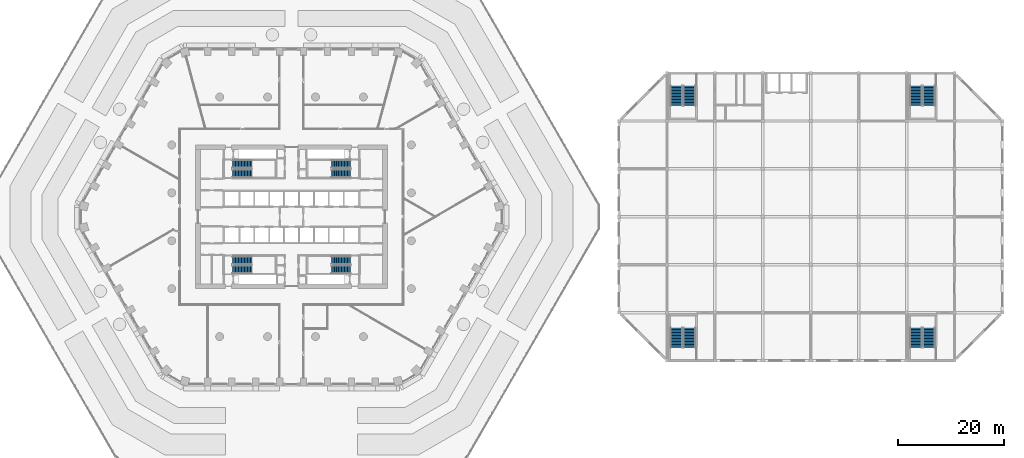
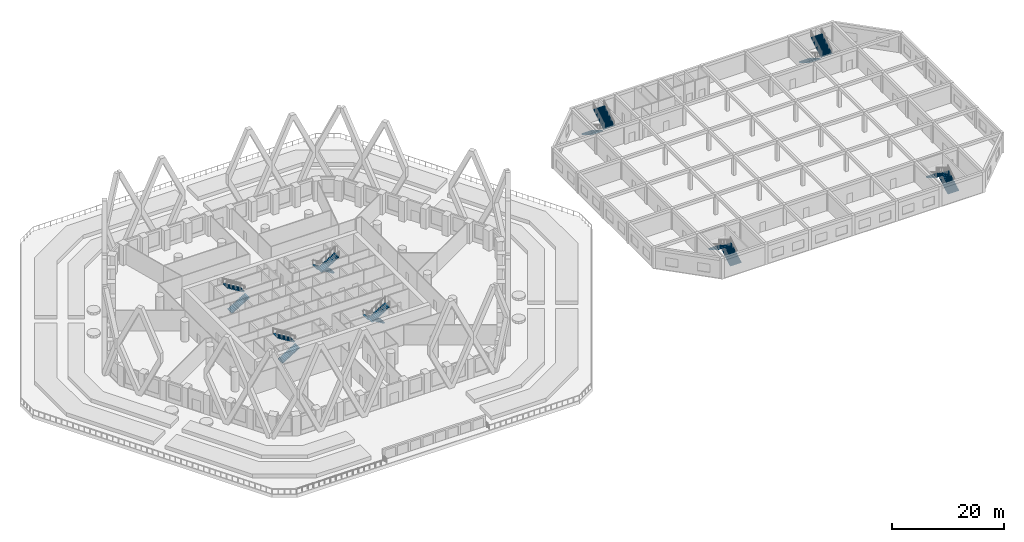
# One storey, part 17 of 27: 16 stair flights, 8 elements without a shape of their own.
"""IFC4 building model written with IfcOpenShell, lengths in metres."""

from ifc_helpers import new_model, si_unit, direction, frame, origin, place, context, subcontext, project, spatial, polyline, outline, extrude, material, type_object, element, aggregate, save


model = new_model("IFC4")

# Units and contexts
model_context = context("Model", 3, precision=1e-05, world=origin(), true_north=direction((0.0, 1.0)))
body_context = subcontext(model_context, "Body", "Model", "MODEL_VIEW")
ifc_project = project(units=[si_unit("LENGTHUNIT", "METRE"), si_unit("AREAUNIT", "SQUARE_METRE"), si_unit("VOLUMEUNIT", "CUBIC_METRE"), si_unit("PLANEANGLEUNIT", "RADIAN"), si_unit("MASSUNIT", "GRAM", prefix="KILO")], contexts=[model_context])

# Site, building, storey
site_placement = place(None, origin())
site = spatial("IfcSite", under=ifc_project, at=site_placement, CompositionType="ELEMENT")
building_placement = place(site_placement, origin())
building = spatial("IfcBuilding", under=site, at=building_placement, Name="Dhurran Vertical Campus", CompositionType="ELEMENT")
storey_placement = place(building_placement, frame((0.0, 0.0, 10.800048828125)))
storey = spatial("IfcBuildingStorey", under=building, at=storey_placement, Name="L02", CompositionType="ELEMENT", Elevation=10.800048828125)

# Stair, stair flights
ifc_material_1 = material(Name="Concrete C40/50", Category="concrete")
stair_type_1 = type_object("IfcStairType", Name="co-ST-CORE", PredefinedType="HALF_TURN_STAIR", material=ifc_material_1)
stair_1_placement = place(storey_placement, origin())
stair_1 = element("IfcStair", 1, at=stair_1_placement, inside=storey, type_object=stair_type_1, Name="L02 Protected exit stair ST1", PredefinedType="HALF_TURN_STAIR")
ifc_material_2 = material(Name="Concrete C40/50", Category="concrete")
stair_flight_type_1 = type_object("IfcStairFlightType", Name="co-SFL-RC", PredefinedType="STRAIGHT", material=ifc_material_2)
stair_flight_1_placement = place(storey_placement, frame((-11.10009765625, 8.175048828125, 0.0), z_axis=(0.0, 0.0, 1.0), x_axis=(1.0, 0.0, 0.0)))
stair_flight_1 = element("IfcStairFlight", 2, at=stair_flight_1_placement, type_object=stair_flight_type_1, Name="ST1 flight 1", NumberOfRisers=14, NumberOfTreads=13, PredefinedType="STRAIGHT", RiserHeight=0.171428571, TreadLength=0.28, context=body_context, shape_type="SweptSolid", body=[
    extrude(outline(polyline([(0.0, 0.0), (0.0, 0.17138671875), (0.280029296875, 0.17138671875), (0.280029296875, 0.3427734375), (0.56005859375, 0.3427734375), (0.56005859375, 0.514404296875), (0.840087890625, 0.514404296875), (0.840087890625, 0.685791015625), (1.1201171875, 0.685791015625), (1.1201171875, 0.857177734375), (1.39990234375, 0.857177734375), (1.39990234375, 1.028564453125), (1.679931640625, 1.028564453125), (1.679931640625, 1.199951171875), (1.9599609375, 1.199951171875), (1.9599609375, 1.371337890625), (2.239990234375, 1.371337890625), (2.239990234375, 1.54296875), (2.52001953125, 1.54296875), (2.52001953125, 1.71435546875), (2.800048828125, 1.71435546875), (2.800048828125, 1.8857421875), (3.080078125, 1.8857421875), (3.080078125, 2.05712890625), (3.360107421875, 2.05712890625), (3.360107421875, 2.228515625), (3.639892578125, 2.228515625), (3.639892578125, 2.39990234375), (3.639892578125, 2.052734375), (0.287109375, 0.0), (0.0, 0.0)])), frame((0.0, 0.77490234375, 0.0), z_axis=(0.0, -1.0, 0.0), x_axis=(1.0, 0.0, 0.0)), (0.0, 0.0, 1.0), 1.550048828125),
])
stair_flight_2_placement = place(storey_placement, frame((-7.4599609375, 9.875, 2.39990234375), z_axis=(0.0, 0.0, 1.0), x_axis=(-1.0, 0.0, 0.0)))
stair_flight_2 = element("IfcStairFlight", 3, at=stair_flight_2_placement, type_object=stair_flight_type_1, Name="ST1 flight 2", NumberOfRisers=14, NumberOfTreads=13, PredefinedType="STRAIGHT", RiserHeight=0.171428571, TreadLength=0.28, context=body_context, shape_type="SweptSolid", body=[
    extrude(outline(polyline([(0.0, 0.0), (0.0, 0.17138671875), (0.280029296875, 0.17138671875), (0.280029296875, 0.3427734375), (0.56005859375, 0.3427734375), (0.56005859375, 0.514404296875), (0.840087890625, 0.514404296875), (0.840087890625, 0.685791015625), (1.1201171875, 0.685791015625), (1.1201171875, 0.857177734375), (1.39990234375, 0.857177734375), (1.39990234375, 1.028564453125), (1.679931640625, 1.028564453125), (1.679931640625, 1.199951171875), (1.9599609375, 1.199951171875), (1.9599609375, 1.371337890625), (2.239990234375, 1.371337890625), (2.239990234375, 1.54296875), (2.52001953125, 1.54296875), (2.52001953125, 1.71435546875), (2.800048828125, 1.71435546875), (2.800048828125, 1.8857421875), (3.080078125, 1.8857421875), (3.080078125, 2.05712890625), (3.360107421875, 2.05712890625), (3.360107421875, 2.228515625), (3.639892578125, 2.228515625), (3.639892578125, 2.39990234375), (3.639892578125, 2.052734375), (0.287109375, 0.0), (0.0, 0.0)])), frame((0.0, 0.77490234375, 0.0), z_axis=(0.0, -1.0, 0.0), x_axis=(1.0, 0.0, 0.0)), (0.0, 0.0, 1.0), 1.550048828125),
])
aggregate(stair_1, [stair_flight_1, stair_flight_2])

stair_2_placement = place(storey_placement, origin())
stair_2 = element("IfcStair", 4, at=stair_2_placement, inside=storey, type_object=stair_type_1, Name="L02 Protected exit stair ST2", PredefinedType="HALF_TURN_STAIR")
stair_flight_3_placement = place(storey_placement, frame((11.10009765625, 9.875, 0.0), z_axis=(0.0, 0.0, 1.0), x_axis=(-1.0, 0.0, 0.0)))
stair_flight_3 = element("IfcStairFlight", 5, at=stair_flight_3_placement, type_object=stair_flight_type_1, Name="ST2 flight 1", NumberOfRisers=14, NumberOfTreads=13, PredefinedType="STRAIGHT", RiserHeight=0.171428571, TreadLength=0.28, context=body_context, shape_type="SweptSolid", body=[
    extrude(outline(polyline([(0.0, 0.0), (0.0, 0.17138671875), (0.280029296875, 0.17138671875), (0.280029296875, 0.3427734375), (0.56005859375, 0.3427734375), (0.56005859375, 0.514404296875), (0.840087890625, 0.514404296875), (0.840087890625, 0.685791015625), (1.1201171875, 0.685791015625), (1.1201171875, 0.857177734375), (1.39990234375, 0.857177734375), (1.39990234375, 1.028564453125), (1.679931640625, 1.028564453125), (1.679931640625, 1.199951171875), (1.9599609375, 1.199951171875), (1.9599609375, 1.371337890625), (2.239990234375, 1.371337890625), (2.239990234375, 1.54296875), (2.52001953125, 1.54296875), (2.52001953125, 1.71435546875), (2.800048828125, 1.71435546875), (2.800048828125, 1.8857421875), (3.080078125, 1.8857421875), (3.080078125, 2.05712890625), (3.360107421875, 2.05712890625), (3.360107421875, 2.228515625), (3.639892578125, 2.228515625), (3.639892578125, 2.39990234375), (3.639892578125, 2.052734375), (0.287109375, 0.0), (0.0, 0.0)])), frame((0.0, 0.77490234375, 0.0), z_axis=(0.0, -1.0, 0.0), x_axis=(1.0, 0.0, 0.0)), (0.0, 0.0, 1.0), 1.550048828125),
])
stair_flight_4_placement = place(storey_placement, frame((7.4599609375, 8.175048828125, 2.39990234375), z_axis=(0.0, 0.0, 1.0), x_axis=(1.0, 0.0, 0.0)))
stair_flight_4 = element("IfcStairFlight", 6, at=stair_flight_4_placement, type_object=stair_flight_type_1, Name="ST2 flight 2", NumberOfRisers=14, NumberOfTreads=13, PredefinedType="STRAIGHT", RiserHeight=0.171428571, TreadLength=0.28, context=body_context, shape_type="SweptSolid", body=[
    extrude(outline(polyline([(0.0, 0.0), (0.0, 0.17138671875), (0.280029296875, 0.17138671875), (0.280029296875, 0.3427734375), (0.56005859375, 0.3427734375), (0.56005859375, 0.514404296875), (0.840087890625, 0.514404296875), (0.840087890625, 0.685791015625), (1.1201171875, 0.685791015625), (1.1201171875, 0.857177734375), (1.39990234375, 0.857177734375), (1.39990234375, 1.028564453125), (1.679931640625, 1.028564453125), (1.679931640625, 1.199951171875), (1.9599609375, 1.199951171875), (1.9599609375, 1.371337890625), (2.239990234375, 1.371337890625), (2.239990234375, 1.54296875), (2.52001953125, 1.54296875), (2.52001953125, 1.71435546875), (2.800048828125, 1.71435546875), (2.800048828125, 1.8857421875), (3.080078125, 1.8857421875), (3.080078125, 2.05712890625), (3.360107421875, 2.05712890625), (3.360107421875, 2.228515625), (3.639892578125, 2.228515625), (3.639892578125, 2.39990234375), (3.639892578125, 2.052734375), (0.287109375, 0.0), (0.0, 0.0)])), frame((0.0, 0.77490234375, 0.0), z_axis=(0.0, -1.0, 0.0), x_axis=(1.0, 0.0, 0.0)), (0.0, 0.0, 1.0), 1.550048828125),
])
aggregate(stair_2, [stair_flight_3, stair_flight_4])

stair_3_placement = place(storey_placement, origin())
stair_3 = element("IfcStair", 7, at=stair_3_placement, inside=storey, type_object=stair_type_1, Name="L02 Protected exit stair ST3", PredefinedType="HALF_TURN_STAIR")
stair_flight_5_placement = place(storey_placement, frame((-11.10009765625, -9.875, 0.0), z_axis=(0.0, 0.0, 1.0), x_axis=(1.0, 0.0, 0.0)))
stair_flight_5 = element("IfcStairFlight", 8, at=stair_flight_5_placement, type_object=stair_flight_type_1, Name="ST3 flight 1", NumberOfRisers=14, NumberOfTreads=13, PredefinedType="STRAIGHT", RiserHeight=0.171428571, TreadLength=0.28, context=body_context, shape_type="SweptSolid", body=[
    extrude(outline(polyline([(0.0, 0.0), (0.0, 0.17138671875), (0.280029296875, 0.17138671875), (0.280029296875, 0.3427734375), (0.56005859375, 0.3427734375), (0.56005859375, 0.514404296875), (0.840087890625, 0.514404296875), (0.840087890625, 0.685791015625), (1.1201171875, 0.685791015625), (1.1201171875, 0.857177734375), (1.39990234375, 0.857177734375), (1.39990234375, 1.028564453125), (1.679931640625, 1.028564453125), (1.679931640625, 1.199951171875), (1.9599609375, 1.199951171875), (1.9599609375, 1.371337890625), (2.239990234375, 1.371337890625), (2.239990234375, 1.54296875), (2.52001953125, 1.54296875), (2.52001953125, 1.71435546875), (2.800048828125, 1.71435546875), (2.800048828125, 1.8857421875), (3.080078125, 1.8857421875), (3.080078125, 2.05712890625), (3.360107421875, 2.05712890625), (3.360107421875, 2.228515625), (3.639892578125, 2.228515625), (3.639892578125, 2.39990234375), (3.639892578125, 2.052734375), (0.287109375, 0.0), (0.0, 0.0)])), frame((0.0, 0.77490234375, 0.0), z_axis=(0.0, -1.0, 0.0), x_axis=(1.0, 0.0, 0.0)), (0.0, 0.0, 1.0), 1.550048828125),
])
stair_flight_6_placement = place(storey_placement, frame((-7.4599609375, -8.175048828125, 2.39990234375), z_axis=(0.0, 0.0, 1.0), x_axis=(-1.0, 0.0, 0.0)))
stair_flight_6 = element("IfcStairFlight", 9, at=stair_flight_6_placement, type_object=stair_flight_type_1, Name="ST3 flight 2", NumberOfRisers=14, NumberOfTreads=13, PredefinedType="STRAIGHT", RiserHeight=0.171428571, TreadLength=0.28, context=body_context, shape_type="SweptSolid", body=[
    extrude(outline(polyline([(0.0, 0.0), (0.0, 0.17138671875), (0.280029296875, 0.17138671875), (0.280029296875, 0.3427734375), (0.56005859375, 0.3427734375), (0.56005859375, 0.514404296875), (0.840087890625, 0.514404296875), (0.840087890625, 0.685791015625), (1.1201171875, 0.685791015625), (1.1201171875, 0.857177734375), (1.39990234375, 0.857177734375), (1.39990234375, 1.028564453125), (1.679931640625, 1.028564453125), (1.679931640625, 1.199951171875), (1.9599609375, 1.199951171875), (1.9599609375, 1.371337890625), (2.239990234375, 1.371337890625), (2.239990234375, 1.54296875), (2.52001953125, 1.54296875), (2.52001953125, 1.71435546875), (2.800048828125, 1.71435546875), (2.800048828125, 1.8857421875), (3.080078125, 1.8857421875), (3.080078125, 2.05712890625), (3.360107421875, 2.05712890625), (3.360107421875, 2.228515625), (3.639892578125, 2.228515625), (3.639892578125, 2.39990234375), (3.639892578125, 2.052734375), (0.287109375, 0.0), (0.0, 0.0)])), frame((0.0, 0.77490234375, 0.0), z_axis=(0.0, -1.0, 0.0), x_axis=(1.0, 0.0, 0.0)), (0.0, 0.0, 1.0), 1.550048828125),
])
aggregate(stair_3, [stair_flight_5, stair_flight_6])

stair_4_placement = place(storey_placement, origin())
stair_4 = element("IfcStair", 10, at=stair_4_placement, inside=storey, type_object=stair_type_1, Name="L02 Protected exit stair ST4", PredefinedType="HALF_TURN_STAIR")
stair_flight_7_placement = place(storey_placement, frame((11.10009765625, -8.175048828125, 0.0), z_axis=(0.0, 0.0, 1.0), x_axis=(-1.0, 0.0, 0.0)))
stair_flight_7 = element("IfcStairFlight", 11, at=stair_flight_7_placement, type_object=stair_flight_type_1, Name="ST4 flight 1", NumberOfRisers=14, NumberOfTreads=13, PredefinedType="STRAIGHT", RiserHeight=0.171428571, TreadLength=0.28, context=body_context, shape_type="SweptSolid", body=[
    extrude(outline(polyline([(0.0, 0.0), (0.0, 0.17138671875), (0.280029296875, 0.17138671875), (0.280029296875, 0.3427734375), (0.56005859375, 0.3427734375), (0.56005859375, 0.514404296875), (0.840087890625, 0.514404296875), (0.840087890625, 0.685791015625), (1.1201171875, 0.685791015625), (1.1201171875, 0.857177734375), (1.39990234375, 0.857177734375), (1.39990234375, 1.028564453125), (1.679931640625, 1.028564453125), (1.679931640625, 1.199951171875), (1.9599609375, 1.199951171875), (1.9599609375, 1.371337890625), (2.239990234375, 1.371337890625), (2.239990234375, 1.54296875), (2.52001953125, 1.54296875), (2.52001953125, 1.71435546875), (2.800048828125, 1.71435546875), (2.800048828125, 1.8857421875), (3.080078125, 1.8857421875), (3.080078125, 2.05712890625), (3.360107421875, 2.05712890625), (3.360107421875, 2.228515625), (3.639892578125, 2.228515625), (3.639892578125, 2.39990234375), (3.639892578125, 2.052734375), (0.287109375, 0.0), (0.0, 0.0)])), frame((0.0, 0.77490234375, 0.0), z_axis=(0.0, -1.0, 0.0), x_axis=(1.0, 0.0, 0.0)), (0.0, 0.0, 1.0), 1.550048828125),
])
stair_flight_8_placement = place(storey_placement, frame((7.4599609375, -9.875, 2.39990234375), z_axis=(0.0, 0.0, 1.0), x_axis=(1.0, 0.0, 0.0)))
stair_flight_8 = element("IfcStairFlight", 12, at=stair_flight_8_placement, type_object=stair_flight_type_1, Name="ST4 flight 2", NumberOfRisers=14, NumberOfTreads=13, PredefinedType="STRAIGHT", RiserHeight=0.171428571, TreadLength=0.28, context=body_context, shape_type="SweptSolid", body=[
    extrude(outline(polyline([(0.0, 0.0), (0.0, 0.17138671875), (0.280029296875, 0.17138671875), (0.280029296875, 0.3427734375), (0.56005859375, 0.3427734375), (0.56005859375, 0.514404296875), (0.840087890625, 0.514404296875), (0.840087890625, 0.685791015625), (1.1201171875, 0.685791015625), (1.1201171875, 0.857177734375), (1.39990234375, 0.857177734375), (1.39990234375, 1.028564453125), (1.679931640625, 1.028564453125), (1.679931640625, 1.199951171875), (1.9599609375, 1.199951171875), (1.9599609375, 1.371337890625), (2.239990234375, 1.371337890625), (2.239990234375, 1.54296875), (2.52001953125, 1.54296875), (2.52001953125, 1.71435546875), (2.800048828125, 1.71435546875), (2.800048828125, 1.8857421875), (3.080078125, 1.8857421875), (3.080078125, 2.05712890625), (3.360107421875, 2.05712890625), (3.360107421875, 2.228515625), (3.639892578125, 2.228515625), (3.639892578125, 2.39990234375), (3.639892578125, 2.052734375), (0.287109375, 0.0), (0.0, 0.0)])), frame((0.0, 0.77490234375, 0.0), z_axis=(0.0, -1.0, 0.0), x_axis=(1.0, 0.0, 0.0)), (0.0, 0.0, 1.0), 1.550048828125),
])
aggregate(stair_4, [stair_flight_7, stair_flight_8])

ifc_material_3 = material(Name="Concrete C40/50", Category="concrete")
stair_type_2 = type_object("IfcStairType", Name="hl-exit stair dog-leg", PredefinedType="HALF_TURN_STAIR", material=ifc_material_3)
stair_5_placement = place(storey_placement, origin())
stair_5 = element("IfcStair", 13, at=stair_5_placement, inside=storey, type_object=stair_type_2, Name="L02 Exit stair HST1", PredefinedType="HALF_TURN_STAIR")
ifc_material_4 = material(Name="Concrete C40/50", Category="concrete")
stair_flight_type_2 = type_object("IfcStairFlightType", Name="hl-stair flight", PredefinedType="STRAIGHT", material=ifc_material_4)
stair_flight_9_placement = place(storey_placement, frame((74.75, -24.550048828125, 0.0), z_axis=(0.0, 0.0, 1.0), x_axis=(0.0, 1.0, 0.0)))
stair_flight_9 = element("IfcStairFlight", 14, at=stair_flight_9_placement, type_object=stair_flight_type_2, Name="HST1 flight 1", NumberOfRisers=14, NumberOfTreads=13, PredefinedType="STRAIGHT", RiserHeight=0.171428571, TreadLength=0.284, context=body_context, shape_type="SweptSolid", body=[
    extrude(outline(polyline([(0.0, 0.0), (0.0, 0.17138671875), (0.283935546875, 0.17138671875), (0.283935546875, 0.3427734375), (0.568115234375, 0.3427734375), (0.568115234375, 0.514404296875), (0.85205078125, 0.514404296875), (0.85205078125, 0.685791015625), (1.135986328125, 0.685791015625), (1.135986328125, 0.857177734375), (1.419921875, 0.857177734375), (1.419921875, 1.028564453125), (1.7041015625, 1.028564453125), (1.7041015625, 1.199951171875), (1.988037109375, 1.199951171875), (1.988037109375, 1.371337890625), (2.27197265625, 1.371337890625), (2.27197265625, 1.54296875), (2.555908203125, 1.54296875), (2.555908203125, 1.71435546875), (2.840087890625, 1.71435546875), (2.840087890625, 1.8857421875), (3.1240234375, 1.8857421875), (3.1240234375, 2.05712890625), (3.407958984375, 2.05712890625), (3.407958984375, 2.228515625), (3.69189453125, 2.228515625), (3.69189453125, 2.39990234375), (3.69189453125, 2.053466796875), (0.2900390625, 0.0), (0.0, 0.0)])), frame((0.0, 1.14990234375, 0.0), z_axis=(0.0, -1.0, 0.0), x_axis=(1.0, 0.0, 0.0)), (0.0, 0.0, 1.0), 2.300048828125),
])
stair_flight_10_placement = place(storey_placement, frame((72.300048828125, -20.85791015625, 2.39990234375), z_axis=(0.0, 0.0, 1.0), x_axis=(0.0, -1.0, 0.0)))
stair_flight_10 = element("IfcStairFlight", 15, at=stair_flight_10_placement, type_object=stair_flight_type_2, Name="HST1 flight 2", NumberOfRisers=14, NumberOfTreads=13, PredefinedType="STRAIGHT", RiserHeight=0.171428571, TreadLength=0.284, context=body_context, shape_type="SweptSolid", body=[
    extrude(outline(polyline([(0.0, 0.0), (0.0, 0.17138671875), (0.283935546875, 0.17138671875), (0.283935546875, 0.3427734375), (0.568115234375, 0.3427734375), (0.568115234375, 0.514404296875), (0.85205078125, 0.514404296875), (0.85205078125, 0.685791015625), (1.135986328125, 0.685791015625), (1.135986328125, 0.857177734375), (1.419921875, 0.857177734375), (1.419921875, 1.028564453125), (1.7041015625, 1.028564453125), (1.7041015625, 1.199951171875), (1.988037109375, 1.199951171875), (1.988037109375, 1.371337890625), (2.27197265625, 1.371337890625), (2.27197265625, 1.54296875), (2.555908203125, 1.54296875), (2.555908203125, 1.71435546875), (2.840087890625, 1.71435546875), (2.840087890625, 1.8857421875), (3.1240234375, 1.8857421875), (3.1240234375, 2.05712890625), (3.407958984375, 2.05712890625), (3.407958984375, 2.228515625), (3.69189453125, 2.228515625), (3.69189453125, 2.39990234375), (3.69189453125, 2.053466796875), (0.2900390625, 0.0), (0.0, 0.0)])), frame((0.0, 1.14990234375, 0.0), z_axis=(0.0, -1.0, 0.0), x_axis=(1.0, 0.0, 0.0)), (0.0, 0.0, 1.0), 2.300048828125),
])
aggregate(stair_5, [stair_flight_9, stair_flight_10])

stair_6_placement = place(storey_placement, origin())
stair_6 = element("IfcStair", 16, at=stair_6_placement, inside=storey, type_object=stair_type_2, Name="L02 Exit stair HST2", PredefinedType="HALF_TURN_STAIR")
stair_flight_11_placement = place(storey_placement, frame((117.300048828125, 24.550048828125, 0.0), z_axis=(0.0, 0.0, 1.0), x_axis=(0.0, -1.0, 0.0)))
stair_flight_11 = element("IfcStairFlight", 17, at=stair_flight_11_placement, type_object=stair_flight_type_2, Name="HST2 flight 1", NumberOfRisers=14, NumberOfTreads=13, PredefinedType="STRAIGHT", RiserHeight=0.171428571, TreadLength=0.284, context=body_context, shape_type="SweptSolid", body=[
    extrude(outline(polyline([(0.0, 0.0), (0.0, 0.17138671875), (0.283935546875, 0.17138671875), (0.283935546875, 0.3427734375), (0.568115234375, 0.3427734375), (0.568115234375, 0.514404296875), (0.85205078125, 0.514404296875), (0.85205078125, 0.685791015625), (1.135986328125, 0.685791015625), (1.135986328125, 0.857177734375), (1.419921875, 0.857177734375), (1.419921875, 1.028564453125), (1.7041015625, 1.028564453125), (1.7041015625, 1.199951171875), (1.988037109375, 1.199951171875), (1.988037109375, 1.371337890625), (2.27197265625, 1.371337890625), (2.27197265625, 1.54296875), (2.555908203125, 1.54296875), (2.555908203125, 1.71435546875), (2.840087890625, 1.71435546875), (2.840087890625, 1.8857421875), (3.1240234375, 1.8857421875), (3.1240234375, 2.05712890625), (3.407958984375, 2.05712890625), (3.407958984375, 2.228515625), (3.69189453125, 2.228515625), (3.69189453125, 2.39990234375), (3.69189453125, 2.053466796875), (0.2900390625, 0.0), (0.0, 0.0)])), frame((0.0, 1.14990234375, 0.0), z_axis=(0.0, -1.0, 0.0), x_axis=(1.0, 0.0, 0.0)), (0.0, 0.0, 1.0), 2.300048828125),
])
stair_flight_12_placement = place(storey_placement, frame((119.75, 20.85791015625, 2.39990234375), z_axis=(0.0, 0.0, 1.0), x_axis=(0.0, 1.0, 0.0)))
stair_flight_12 = element("IfcStairFlight", 18, at=stair_flight_12_placement, type_object=stair_flight_type_2, Name="HST2 flight 2", NumberOfRisers=14, NumberOfTreads=13, PredefinedType="STRAIGHT", RiserHeight=0.171428571, TreadLength=0.284, context=body_context, shape_type="SweptSolid", body=[
    extrude(outline(polyline([(0.0, 0.0), (0.0, 0.17138671875), (0.283935546875, 0.17138671875), (0.283935546875, 0.3427734375), (0.568115234375, 0.3427734375), (0.568115234375, 0.514404296875), (0.85205078125, 0.514404296875), (0.85205078125, 0.685791015625), (1.135986328125, 0.685791015625), (1.135986328125, 0.857177734375), (1.419921875, 0.857177734375), (1.419921875, 1.028564453125), (1.7041015625, 1.028564453125), (1.7041015625, 1.199951171875), (1.988037109375, 1.199951171875), (1.988037109375, 1.371337890625), (2.27197265625, 1.371337890625), (2.27197265625, 1.54296875), (2.555908203125, 1.54296875), (2.555908203125, 1.71435546875), (2.840087890625, 1.71435546875), (2.840087890625, 1.8857421875), (3.1240234375, 1.8857421875), (3.1240234375, 2.05712890625), (3.407958984375, 2.05712890625), (3.407958984375, 2.228515625), (3.69189453125, 2.228515625), (3.69189453125, 2.39990234375), (3.69189453125, 2.053466796875), (0.2900390625, 0.0), (0.0, 0.0)])), frame((0.0, 1.14990234375, 0.0), z_axis=(0.0, -1.0, 0.0), x_axis=(1.0, 0.0, 0.0)), (0.0, 0.0, 1.0), 2.300048828125),
])
aggregate(stair_6, [stair_flight_11, stair_flight_12])

stair_7_placement = place(storey_placement, origin())
stair_7 = element("IfcStair", 19, at=stair_7_placement, inside=storey, type_object=stair_type_2, Name="L02 Exit stair HST3", PredefinedType="HALF_TURN_STAIR")
stair_flight_13_placement = place(storey_placement, frame((72.300048828125, 24.550048828125, 0.0), z_axis=(0.0, 0.0, 1.0), x_axis=(0.0, -1.0, 0.0)))
stair_flight_13 = element("IfcStairFlight", 20, at=stair_flight_13_placement, type_object=stair_flight_type_2, Name="HST3 flight 1", NumberOfRisers=14, NumberOfTreads=13, PredefinedType="STRAIGHT", RiserHeight=0.171428571, TreadLength=0.284, context=body_context, shape_type="SweptSolid", body=[
    extrude(outline(polyline([(0.0, 0.0), (0.0, 0.17138671875), (0.283935546875, 0.17138671875), (0.283935546875, 0.3427734375), (0.568115234375, 0.3427734375), (0.568115234375, 0.514404296875), (0.85205078125, 0.514404296875), (0.85205078125, 0.685791015625), (1.135986328125, 0.685791015625), (1.135986328125, 0.857177734375), (1.419921875, 0.857177734375), (1.419921875, 1.028564453125), (1.7041015625, 1.028564453125), (1.7041015625, 1.199951171875), (1.988037109375, 1.199951171875), (1.988037109375, 1.371337890625), (2.27197265625, 1.371337890625), (2.27197265625, 1.54296875), (2.555908203125, 1.54296875), (2.555908203125, 1.71435546875), (2.840087890625, 1.71435546875), (2.840087890625, 1.8857421875), (3.1240234375, 1.8857421875), (3.1240234375, 2.05712890625), (3.407958984375, 2.05712890625), (3.407958984375, 2.228515625), (3.69189453125, 2.228515625), (3.69189453125, 2.39990234375), (3.69189453125, 2.053466796875), (0.2900390625, 0.0), (0.0, 0.0)])), frame((0.0, 1.14990234375, 0.0), z_axis=(0.0, -1.0, 0.0), x_axis=(1.0, 0.0, 0.0)), (0.0, 0.0, 1.0), 2.300048828125),
])
stair_flight_14_placement = place(storey_placement, frame((74.75, 20.85791015625, 2.39990234375), z_axis=(0.0, 0.0, 1.0), x_axis=(0.0, 1.0, 0.0)))
stair_flight_14 = element("IfcStairFlight", 21, at=stair_flight_14_placement, type_object=stair_flight_type_2, Name="HST3 flight 2", NumberOfRisers=14, NumberOfTreads=13, PredefinedType="STRAIGHT", RiserHeight=0.171428571, TreadLength=0.284, context=body_context, shape_type="SweptSolid", body=[
    extrude(outline(polyline([(0.0, 0.0), (0.0, 0.17138671875), (0.283935546875, 0.17138671875), (0.283935546875, 0.3427734375), (0.568115234375, 0.3427734375), (0.568115234375, 0.514404296875), (0.85205078125, 0.514404296875), (0.85205078125, 0.685791015625), (1.135986328125, 0.685791015625), (1.135986328125, 0.857177734375), (1.419921875, 0.857177734375), (1.419921875, 1.028564453125), (1.7041015625, 1.028564453125), (1.7041015625, 1.199951171875), (1.988037109375, 1.199951171875), (1.988037109375, 1.371337890625), (2.27197265625, 1.371337890625), (2.27197265625, 1.54296875), (2.555908203125, 1.54296875), (2.555908203125, 1.71435546875), (2.840087890625, 1.71435546875), (2.840087890625, 1.8857421875), (3.1240234375, 1.8857421875), (3.1240234375, 2.05712890625), (3.407958984375, 2.05712890625), (3.407958984375, 2.228515625), (3.69189453125, 2.228515625), (3.69189453125, 2.39990234375), (3.69189453125, 2.053466796875), (0.2900390625, 0.0), (0.0, 0.0)])), frame((0.0, 1.14990234375, 0.0), z_axis=(0.0, -1.0, 0.0), x_axis=(1.0, 0.0, 0.0)), (0.0, 0.0, 1.0), 2.300048828125),
])
aggregate(stair_7, [stair_flight_13, stair_flight_14])

stair_8_placement = place(storey_placement, origin())
stair_8 = element("IfcStair", 22, at=stair_8_placement, inside=storey, type_object=stair_type_2, Name="L02 Exit stair HST4", PredefinedType="HALF_TURN_STAIR")
stair_flight_15_placement = place(storey_placement, frame((119.75, -24.550048828125, 0.0), z_axis=(0.0, 0.0, 1.0), x_axis=(0.0, 1.0, 0.0)))
stair_flight_15 = element("IfcStairFlight", 23, at=stair_flight_15_placement, type_object=stair_flight_type_2, Name="HST4 flight 1", NumberOfRisers=14, NumberOfTreads=13, PredefinedType="STRAIGHT", RiserHeight=0.171428571, TreadLength=0.284, context=body_context, shape_type="SweptSolid", body=[
    extrude(outline(polyline([(0.0, 0.0), (0.0, 0.17138671875), (0.283935546875, 0.17138671875), (0.283935546875, 0.3427734375), (0.568115234375, 0.3427734375), (0.568115234375, 0.514404296875), (0.85205078125, 0.514404296875), (0.85205078125, 0.685791015625), (1.135986328125, 0.685791015625), (1.135986328125, 0.857177734375), (1.419921875, 0.857177734375), (1.419921875, 1.028564453125), (1.7041015625, 1.028564453125), (1.7041015625, 1.199951171875), (1.988037109375, 1.199951171875), (1.988037109375, 1.371337890625), (2.27197265625, 1.371337890625), (2.27197265625, 1.54296875), (2.555908203125, 1.54296875), (2.555908203125, 1.71435546875), (2.840087890625, 1.71435546875), (2.840087890625, 1.8857421875), (3.1240234375, 1.8857421875), (3.1240234375, 2.05712890625), (3.407958984375, 2.05712890625), (3.407958984375, 2.228515625), (3.69189453125, 2.228515625), (3.69189453125, 2.39990234375), (3.69189453125, 2.053466796875), (0.2900390625, 0.0), (0.0, 0.0)])), frame((0.0, 1.14990234375, 0.0), z_axis=(0.0, -1.0, 0.0), x_axis=(1.0, 0.0, 0.0)), (0.0, 0.0, 1.0), 2.300048828125),
])
stair_flight_16_placement = place(storey_placement, frame((117.300048828125, -20.85791015625, 2.39990234375), z_axis=(0.0, 0.0, 1.0), x_axis=(0.0, -1.0, 0.0)))
stair_flight_16 = element("IfcStairFlight", 24, at=stair_flight_16_placement, type_object=stair_flight_type_2, Name="HST4 flight 2", NumberOfRisers=14, NumberOfTreads=13, PredefinedType="STRAIGHT", RiserHeight=0.171428571, TreadLength=0.284, context=body_context, shape_type="SweptSolid", body=[
    extrude(outline(polyline([(0.0, 0.0), (0.0, 0.17138671875), (0.283935546875, 0.17138671875), (0.283935546875, 0.3427734375), (0.568115234375, 0.3427734375), (0.568115234375, 0.514404296875), (0.85205078125, 0.514404296875), (0.85205078125, 0.685791015625), (1.135986328125, 0.685791015625), (1.135986328125, 0.857177734375), (1.419921875, 0.857177734375), (1.419921875, 1.028564453125), (1.7041015625, 1.028564453125), (1.7041015625, 1.199951171875), (1.988037109375, 1.199951171875), (1.988037109375, 1.371337890625), (2.27197265625, 1.371337890625), (2.27197265625, 1.54296875), (2.555908203125, 1.54296875), (2.555908203125, 1.71435546875), (2.840087890625, 1.71435546875), (2.840087890625, 1.8857421875), (3.1240234375, 1.8857421875), (3.1240234375, 2.05712890625), (3.407958984375, 2.05712890625), (3.407958984375, 2.228515625), (3.69189453125, 2.228515625), (3.69189453125, 2.39990234375), (3.69189453125, 2.053466796875), (0.2900390625, 0.0), (0.0, 0.0)])), frame((0.0, 1.14990234375, 0.0), z_axis=(0.0, -1.0, 0.0), x_axis=(1.0, 0.0, 0.0)), (0.0, 0.0, 1.0), 2.300048828125),
])
aggregate(stair_8, [stair_flight_15, stair_flight_16])

save(model, "model.ifc")
